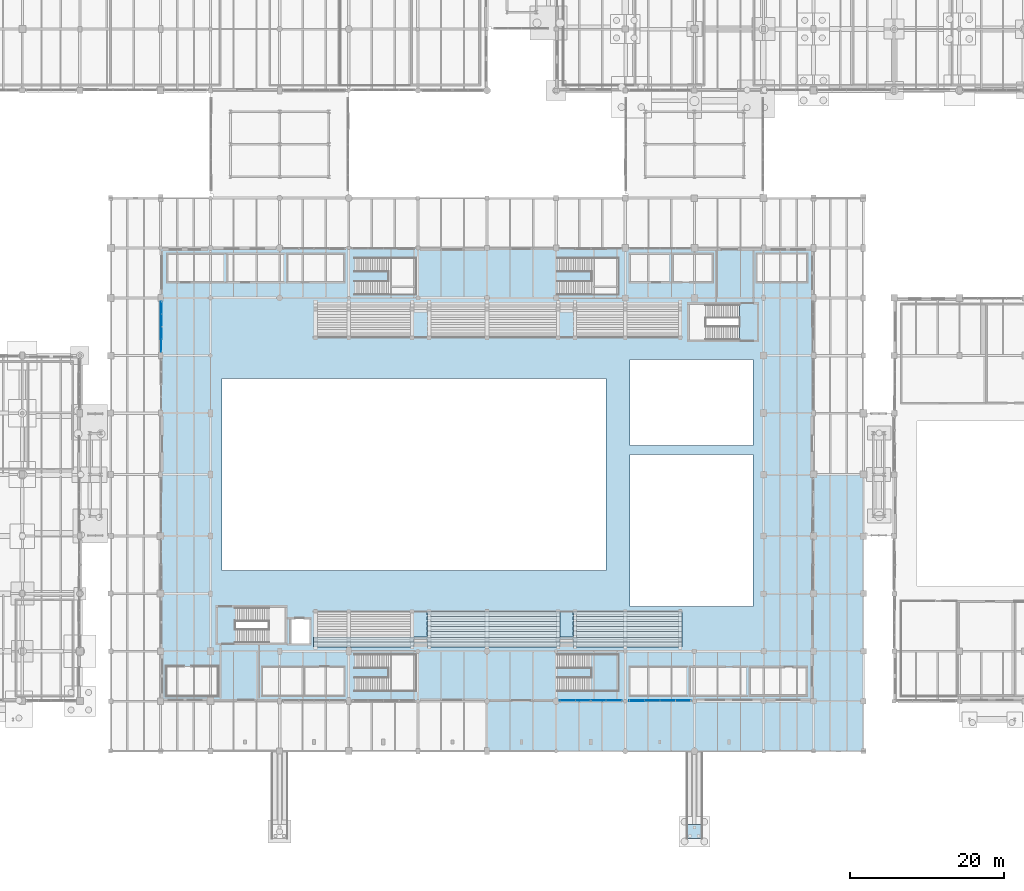
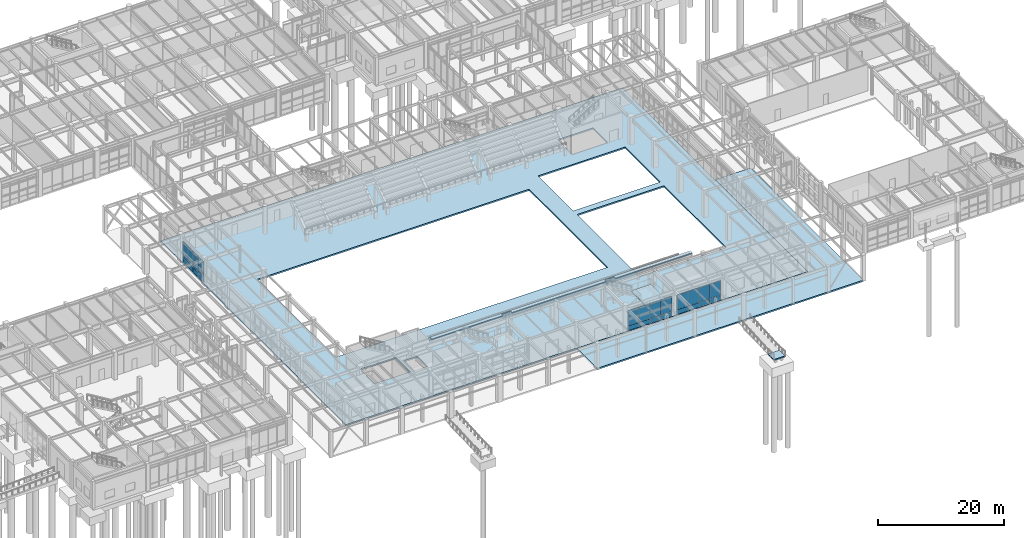
# One storey, part 153 of 203: 24 plates, 16 slabs, 5 elements without a shape of their own.
"""IFC4 building model written with IfcOpenShell, lengths in metres."""

from ifc_helpers import new_model, si_unit, direction, frame, origin, origin_2d, place, context, subcontext, project, spatial, polyline, rectangle, outline, extrude, material, layer, layer_set, type_object, element, aggregate, save


model = new_model("IFC4")

# Units and contexts
model_context = context("Model", 3, precision=1e-05, world=origin(), true_north=direction((0.0, 1.0)))
body_context = subcontext(model_context, "Body", "Model", "MODEL_VIEW")
ifc_project = project(units=[si_unit("LENGTHUNIT", "METRE"), si_unit("AREAUNIT", "SQUARE_METRE"), si_unit("VOLUMEUNIT", "CUBIC_METRE"), si_unit("PLANEANGLEUNIT", "RADIAN"), si_unit("MASSUNIT", "GRAM", prefix="KILO"), si_unit("THERMODYNAMICTEMPERATUREUNIT", "KELVIN"), si_unit("POWERUNIT", "WATT")], contexts=[model_context])

# Site, building, storey
site_placement = place(None, origin())
site = spatial("IfcSite", under=ifc_project, at=site_placement, CompositionType="ELEMENT")
building_placement = place(site_placement, origin())
building = spatial("IfcBuilding", under=site, at=building_placement, Name="Tepalcoro Natatorium and Aquatics Centre", CompositionType="ELEMENT")
storey_placement = place(building_placement, origin())
storey = spatial("IfcBuildingStorey", under=building, at=storey_placement, Name="L00", CompositionType="ELEMENT", Elevation=0.0)

# Curtain wall, plate
ifc_material_1 = material(Name="Bronze-Anodised Extruded Aluminium Alloy EN AW-6063 T6", Category="aluminium")
curtain_wall_type_1 = type_object("IfcCurtainWallType", Name="CW_LEAN_T1_EW", PredefinedType="USERDEFINED", material=ifc_material_1)
curtain_wall_1_placement = place(storey_placement, origin())
curtain_wall_1 = element("IfcCurtainWall", 1, at=curtain_wall_1_placement, inside=storey, type_object=curtain_wall_type_1, Name="V1 L00 S Unitised Curtain Wall Bay 7", ObjectType="FACETED SOLAR GLAZING", PredefinedType="USERDEFINED")
ifc_material_2 = material(Name="Solar-Control Bronze Tempered Low-E Double Glazing", Category="glass")
ifc_layer_1 = layer(ifc_material_2, 0.048095703125)
ifc_layer_set_1 = layer_set([ifc_layer_1], Name="Solar-Control Bronze Tempered Low-E Double Glazing")
plate_type_1 = type_object("IfcPlateType", Name="PL_ACOUSTIC_IGU_48", PredefinedType="CURTAIN_PANEL", material=ifc_layer_set_1)
plate_1_placement = place(storey_placement, frame((103.5048828125, 6.590087890625, 0.9599609375), z_axis=(0.0, 0.0, 1.0), x_axis=(1.0, 0.0, 0.0)))
plate_1 = element("IfcPlate", 2, at=plate_1_placement, type_object=plate_type_1, Name="CW_LEAN_T1_EW Insulated Glazing Unit", PredefinedType="CURTAIN_PANEL", context=body_context, shape_type="SweptSolid", body=[
    extrude(rectangle(XDim=1.989990234375, YDim=0.048095703125, at=origin_2d()), origin(), (0.0, 0.0, 1.0), 2.93310546875),
])

curtain_wall_type_2 = type_object("IfcCurtainWallType", Name="CW_LEAN_T2_NS", PredefinedType="USERDEFINED", material=ifc_material_1)
curtain_wall_2_placement = place(storey_placement, origin())
curtain_wall_2 = element("IfcCurtainWall", 3, at=curtain_wall_2_placement, inside=storey, type_object=curtain_wall_type_2, Name="V1 L00 S Unitised Curtain Wall Bay 8", ObjectType="FACETED SOLAR GLAZING", PredefinedType="USERDEFINED")
plate_2_placement = place(storey_placement, frame((110.4951171875, 6.576171875, 0.9599609375), z_axis=(0.0, 0.0, 1.0), x_axis=(1.0, 0.0, 0.0)))
plate_2 = element("IfcPlate", 4, at=plate_2_placement, type_object=plate_type_1, Name="CW_LEAN_T2_NS Insulated Glazing Unit", PredefinedType="CURTAIN_PANEL", context=body_context, shape_type="SweptSolid", body=[
    extrude(rectangle(XDim=1.989990234375, YDim=0.048095703125, at=origin_2d()), origin(), (0.0, 0.0, 1.0), 2.84912109375),
])

curtain_wall_type_3 = type_object("IfcCurtainWallType", Name="CW_V2_DIVING", PredefinedType="USERDEFINED", material=ifc_material_1)
curtain_wall_3_placement = place(storey_placement, origin())
curtain_wall_3 = element("IfcCurtainWall", 5, at=curtain_wall_3_placement, inside=storey, type_object=curtain_wall_type_3, Name="V1 L00 W Unitised Curtain Wall Bay 7", ObjectType="FACETED SOLAR GLAZING", PredefinedType="USERDEFINED")
plate_3_placement = place(storey_placement, frame((46.590087890625, 56.0673828125, 0.9599609375), z_axis=(0.0, 0.0, 1.0), x_axis=(1.0, 0.0, 0.0)))
plate_3 = element("IfcPlate", 6, at=plate_3_placement, type_object=plate_type_1, Name="CW_V2_DIVING Insulated Glazing Unit", PredefinedType="CURTAIN_PANEL", context=body_context, shape_type="SweptSolid", body=[
    extrude(rectangle(XDim=0.048095703125, YDim=1.614990234375, at=origin_2d()), origin(), (0.0, 0.0, 1.0), 3.0830078125),
])

# Plate
ifc_layer_2 = layer(ifc_material_2, 0.028076171875)
ifc_layer_set_2 = layer_set([ifc_layer_2], Name="Solar-Control Bronze Tempered Low-E Double Glazing")
plate_type_2 = type_object("IfcPlateType", Name="PL_BRONZE_IGU_28", PredefinedType="CURTAIN_PANEL", material=ifc_layer_set_2)
plate_4_placement = place(storey_placement, frame((101.4951171875, 6.590087890625, 0.9599609375), z_axis=(0.0, 0.0, 1.0), x_axis=(1.0, 0.0, 0.0)))
plate_4 = element("IfcPlate", 7, at=plate_4_placement, type_object=plate_type_2, Name="CW_LEAN_T1_EW Insulated Glazing Unit", PredefinedType="CURTAIN_PANEL", context=body_context, shape_type="SweptSolid", body=[
    extrude(rectangle(XDim=1.989990234375, YDim=0.028076171875, at=origin_2d()), origin(), (0.0, 0.0, 1.0), 2.93310546875),
])

plate_5_placement = place(storey_placement, frame((108.485107421875, 6.576171875, 0.9599609375), z_axis=(0.0, 0.0, 1.0), x_axis=(1.0, 0.0, 0.0)))
plate_5 = element("IfcPlate", 8, at=plate_5_placement, type_object=plate_type_2, Name="CW_LEAN_T2_NS Insulated Glazing Unit", PredefinedType="CURTAIN_PANEL", context=body_context, shape_type="SweptSolid", body=[
    extrude(rectangle(XDim=1.989990234375, YDim=0.028076171875, at=origin_2d()), origin(), (0.0, 0.0, 1.0), 2.84912109375),
])

plate_6_placement = place(storey_placement, frame((114.514892578125, 6.576171875, 0.9599609375), z_axis=(0.0, 0.0, 1.0), x_axis=(1.0, 0.0, 0.0)))
plate_6 = element("IfcPlate", 9, at=plate_6_placement, type_object=plate_type_2, Name="CW_LEAN_T2_NS Insulated Glazing Unit", PredefinedType="CURTAIN_PANEL", context=body_context, shape_type="SweptSolid", body=[
    extrude(rectangle(XDim=1.989990234375, YDim=0.028076171875, at=origin_2d()), origin(), (0.0, 0.0, 1.0), 2.84912109375),
])

plate_7_placement = place(storey_placement, frame((46.590087890625, 54.4326171875, 0.9599609375), z_axis=(0.0, 0.0, 1.0), x_axis=(1.0, 0.0, 0.0)))
plate_7 = element("IfcPlate", 10, at=plate_7_placement, type_object=plate_type_2, Name="CW_V2_DIVING Insulated Glazing Unit", PredefinedType="CURTAIN_PANEL", context=body_context, shape_type="SweptSolid", body=[
    extrude(rectangle(XDim=0.028076171875, YDim=1.614990234375, at=origin_2d()), origin(), (0.0, 0.0, 1.0), 3.0830078125),
])

ifc_material_3 = material(Name="Jalisco Cantera Rosa Volcanic Tuff Ashlar Masonry", Category="masonry")
ifc_layer_3 = layer(ifc_material_3, 0.090087890625)
ifc_layer_set_3 = layer_set([ifc_layer_3], Name="Jalisco Cantera Rosa Volcanic Tuff Ashlar Masonry")
plate_type_3 = type_object("IfcPlateType", Name="PL_CANTERA_90", PredefinedType="SHEET", material=ifc_layer_set_3)
plate_8_placement = place(storey_placement, frame((99.485107421875, 6.590087890625, 0.044921875), z_axis=(0.0, 0.0, 1.0), x_axis=(1.0, 0.0, 0.0)))
plate_8 = element("IfcPlate", 11, at=plate_8_placement, type_object=plate_type_3, Name="CW_LEAN_T1_EW Spandrel & Screen Panel", PredefinedType="SHEET", context=body_context, shape_type="SweptSolid", body=[
    extrude(rectangle(XDim=1.989990234375, YDim=0.090087890625, at=origin_2d()), origin(), (0.0, 0.0, 1.0), 0.909912109375),
])

plate_9_placement = place(storey_placement, frame((46.590087890625, 54.4326171875, 0.044921875), z_axis=(0.0, 0.0, 1.0), x_axis=(1.0, 0.0, 0.0)))
plate_9 = element("IfcPlate", 12, at=plate_9_placement, type_object=plate_type_3, Name="CW_V2_DIVING Spandrel & Screen Panel", PredefinedType="SHEET", context=body_context, shape_type="SweptSolid", body=[
    extrude(rectangle(XDim=0.090087890625, YDim=1.614990234375, at=origin_2d()), origin(), (0.0, 0.0, 1.0), 0.909912109375),
])

ifc_material_4 = material(Name="Clear Tempered Low-E Safety Glazing", Category="glass")
ifc_layer_4 = layer(ifc_material_4, 0.011962890625)
ifc_layer_set_4 = layer_set([ifc_layer_4], Name="Clear Tempered Low-E Safety Glazing")
plate_type_4 = type_object("IfcPlateType", Name="PL_GLASS_12", PredefinedType="CURTAIN_PANEL", material=ifc_layer_set_4)
plate_10_placement = place(storey_placement, frame((99.485107421875, 6.590087890625, 0.9599609375), z_axis=(0.0, 0.0, 1.0), x_axis=(1.0, 0.0, 0.0)))
plate_10 = element("IfcPlate", 13, at=plate_10_placement, type_object=plate_type_4, Name="CW_LEAN_T1_EW Insulated Glazing Unit", PredefinedType="CURTAIN_PANEL", context=body_context, shape_type="SweptSolid", body=[
    extrude(rectangle(XDim=1.989990234375, YDim=0.011962890625, at=origin_2d()), origin(), (0.0, 0.0, 1.0), 2.93310546875),
])

plate_11_placement = place(storey_placement, frame((105.514892578125, 6.590087890625, 0.9599609375), z_axis=(0.0, 0.0, 1.0), x_axis=(1.0, 0.0, 0.0)))
plate_11 = element("IfcPlate", 14, at=plate_11_placement, type_object=plate_type_4, Name="CW_LEAN_T1_EW Insulated Glazing Unit", PredefinedType="CURTAIN_PANEL", context=body_context, shape_type="SweptSolid", body=[
    extrude(rectangle(XDim=1.989990234375, YDim=0.011962890625, at=origin_2d()), origin(), (0.0, 0.0, 1.0), 2.93310546875),
])

plate_12_placement = place(storey_placement, frame((112.5048828125, 6.576171875, 0.9599609375), z_axis=(0.0, 0.0, 1.0), x_axis=(1.0, 0.0, 0.0)))
plate_12 = element("IfcPlate", 15, at=plate_12_placement, type_object=plate_type_4, Name="CW_LEAN_T2_NS Insulated Glazing Unit", PredefinedType="CURTAIN_PANEL", context=body_context, shape_type="SweptSolid", body=[
    extrude(rectangle(XDim=1.989990234375, YDim=0.011962890625, at=origin_2d()), origin(), (0.0, 0.0, 1.0), 2.84912109375),
])

plate_13_placement = place(storey_placement, frame((46.590087890625, 52.797607421875, 0.9599609375), z_axis=(0.0, 0.0, 1.0), x_axis=(1.0, 0.0, 0.0)))
plate_13 = element("IfcPlate", 16, at=plate_13_placement, type_object=plate_type_4, Name="CW_V2_DIVING Insulated Glazing Unit", PredefinedType="CURTAIN_PANEL", context=body_context, shape_type="SweptSolid", body=[
    extrude(rectangle(XDim=0.011962890625, YDim=1.614990234375, at=origin_2d()), origin(), (0.0, 0.0, 1.0), 3.0830078125),
])

plate_14_placement = place(storey_placement, frame((46.590087890625, 57.702392578125, 0.9599609375), z_axis=(0.0, 0.0, 1.0), x_axis=(1.0, 0.0, 0.0)))
plate_14 = element("IfcPlate", 17, at=plate_14_placement, type_object=plate_type_4, Name="CW_V2_DIVING Insulated Glazing Unit", PredefinedType="CURTAIN_PANEL", context=body_context, shape_type="SweptSolid", body=[
    extrude(rectangle(XDim=0.011962890625, YDim=1.614990234375, at=origin_2d()), origin(), (0.0, 0.0, 1.0), 3.0830078125),
])

ifc_material_5 = material(Name="Volcanic Recinto Basalt Ashlar Masonry", Category="masonry")
ifc_layer_5 = layer(ifc_material_5, 0.110107421875)
ifc_layer_set_5 = layer_set([ifc_layer_5], Name="Volcanic Recinto Basalt Ashlar Masonry")
plate_type_5 = type_object("IfcPlateType", Name="PL_RECINTO_110", PredefinedType="SHEET", material=ifc_layer_set_5)
plate_15_placement = place(storey_placement, frame((101.4951171875, 6.590087890625, 0.044921875), z_axis=(0.0, 0.0, 1.0), x_axis=(1.0, 0.0, 0.0)))
plate_15 = element("IfcPlate", 18, at=plate_15_placement, type_object=plate_type_5, Name="CW_LEAN_T1_EW Spandrel & Screen Panel", PredefinedType="SHEET", context=body_context, shape_type="SweptSolid", body=[
    extrude(rectangle(XDim=1.989990234375, YDim=0.110107421875, at=origin_2d()), origin(), (0.0, 0.0, 1.0), 0.909912109375),
])

plate_16_placement = place(storey_placement, frame((108.485107421875, 6.576171875, 0.044921875), z_axis=(0.0, 0.0, 1.0), x_axis=(1.0, 0.0, 0.0)))
plate_16 = element("IfcPlate", 19, at=plate_16_placement, type_object=plate_type_5, Name="CW_LEAN_T2_NS Spandrel & Screen Panel", PredefinedType="SHEET", context=body_context, shape_type="SweptSolid", body=[
    extrude(rectangle(XDim=1.989990234375, YDim=0.110107421875, at=origin_2d()), origin(), (0.0, 0.0, 1.0), 0.909912109375),
])

plate_17_placement = place(storey_placement, frame((46.590087890625, 56.0673828125, 0.044921875), z_axis=(0.0, 0.0, 1.0), x_axis=(1.0, 0.0, 0.0)))
plate_17 = element("IfcPlate", 20, at=plate_17_placement, type_object=plate_type_5, Name="CW_V2_DIVING Spandrel & Screen Panel", PredefinedType="SHEET", context=body_context, shape_type="SweptSolid", body=[
    extrude(rectangle(XDim=0.110107421875, YDim=1.614990234375, at=origin_2d()), origin(), (0.0, 0.0, 1.0), 0.909912109375),
])

ifc_layer_6 = layer(ifc_material_1, 0.050048828125)
ifc_layer_set_6 = layer_set([ifc_layer_6], Name="Bronze-Anodised Extruded Aluminium Alloy EN AW-6063 T6")
plate_type_6 = type_object("IfcPlateType", Name="PL_SCREEN_50", PredefinedType="SHEET", material=ifc_layer_set_6)
plate_18_placement = place(storey_placement, frame((105.514892578125, 6.590087890625, 0.044921875), z_axis=(0.0, 0.0, 1.0), x_axis=(1.0, 0.0, 0.0)))
plate_18 = element("IfcPlate", 21, at=plate_18_placement, type_object=plate_type_6, Name="CW_LEAN_T1_EW Spandrel & Screen Panel", PredefinedType="SHEET", context=body_context, shape_type="SweptSolid", body=[
    extrude(rectangle(XDim=1.989990234375, YDim=0.050048828125, at=origin_2d()), origin(), (0.0, 0.0, 1.0), 0.909912109375),
])

plate_19_placement = place(storey_placement, frame((112.5048828125, 6.576171875, 0.044921875), z_axis=(0.0, 0.0, 1.0), x_axis=(1.0, 0.0, 0.0)))
plate_19 = element("IfcPlate", 22, at=plate_19_placement, type_object=plate_type_6, Name="CW_LEAN_T2_NS Spandrel & Screen Panel", PredefinedType="SHEET", context=body_context, shape_type="SweptSolid", body=[
    extrude(rectangle(XDim=1.989990234375, YDim=0.050048828125, at=origin_2d()), origin(), (0.0, 0.0, 1.0), 0.909912109375),
])

ifc_layer_7 = layer(ifc_material_1, 0.06005859375)
ifc_layer_set_7 = layer_set([ifc_layer_7], Name="Bronze-Anodised Extruded Aluminium Alloy EN AW-6063 T6")
plate_type_7 = type_object("IfcPlateType", Name="PL_SCREEN_60", PredefinedType="SHEET", material=ifc_layer_set_7)
plate_20_placement = place(storey_placement, frame((114.514892578125, 6.576171875, 0.044921875), z_axis=(0.0, 0.0, 1.0), x_axis=(1.0, 0.0, 0.0)))
plate_20 = element("IfcPlate", 23, at=plate_20_placement, type_object=plate_type_7, Name="CW_LEAN_T2_NS Spandrel & Screen Panel", PredefinedType="SHEET", context=body_context, shape_type="SweptSolid", body=[
    extrude(rectangle(XDim=1.989990234375, YDim=0.06005859375, at=origin_2d()), origin(), (0.0, 0.0, 1.0), 0.909912109375),
])

plate_21_placement = place(storey_placement, frame((46.590087890625, 52.797607421875, 0.044921875), z_axis=(0.0, 0.0, 1.0), x_axis=(1.0, 0.0, 0.0)))
plate_21 = element("IfcPlate", 24, at=plate_21_placement, type_object=plate_type_7, Name="CW_V2_DIVING Spandrel & Screen Panel", PredefinedType="SHEET", context=body_context, shape_type="SweptSolid", body=[
    extrude(rectangle(XDim=0.06005859375, YDim=1.614990234375, at=origin_2d()), origin(), (0.0, 0.0, 1.0), 0.909912109375),
])

ifc_material_6 = material(Name="Insulated Bronze Anodised Aluminium Spandrel Panel", Category="aluminium")
ifc_layer_8 = layer(ifc_material_6, 0.070068359375)
ifc_layer_set_8 = layer_set([ifc_layer_8], Name="Insulated Bronze Anodised Aluminium Spandrel Panel")
plate_type_8 = type_object("IfcPlateType", Name="PL_SPANDREL_70", PredefinedType="CURTAIN_PANEL", material=ifc_layer_set_8)
plate_22_placement = place(storey_placement, frame((103.5048828125, 6.590087890625, 0.044921875), z_axis=(0.0, 0.0, 1.0), x_axis=(1.0, 0.0, 0.0)))
plate_22 = element("IfcPlate", 25, at=plate_22_placement, type_object=plate_type_8, Name="CW_LEAN_T1_EW Spandrel & Screen Panel", PredefinedType="CURTAIN_PANEL", context=body_context, shape_type="SweptSolid", body=[
    extrude(rectangle(XDim=1.989990234375, YDim=0.070068359375, at=origin_2d()), origin(), (0.0, 0.0, 1.0), 0.909912109375),
])

aggregate(curtain_wall_1, [plate_10, plate_8, plate_4, plate_15, plate_1, plate_22, plate_11, plate_18])

plate_23_placement = place(storey_placement, frame((110.4951171875, 6.576171875, 0.044921875), z_axis=(0.0, 0.0, 1.0), x_axis=(1.0, 0.0, 0.0)))
plate_23 = element("IfcPlate", 26, at=plate_23_placement, type_object=plate_type_8, Name="CW_LEAN_T2_NS Spandrel & Screen Panel", PredefinedType="CURTAIN_PANEL", context=body_context, shape_type="SweptSolid", body=[
    extrude(rectangle(XDim=1.989990234375, YDim=0.070068359375, at=origin_2d()), origin(), (0.0, 0.0, 1.0), 0.909912109375),
])

aggregate(curtain_wall_2, [plate_5, plate_16, plate_2, plate_23, plate_12, plate_19, plate_6, plate_20])

plate_24_placement = place(storey_placement, frame((46.590087890625, 57.702392578125, 0.044921875), z_axis=(0.0, 0.0, 1.0), x_axis=(1.0, 0.0, 0.0)))
plate_24 = element("IfcPlate", 27, at=plate_24_placement, type_object=plate_type_8, Name="CW_V2_DIVING Spandrel & Screen Panel", PredefinedType="CURTAIN_PANEL", context=body_context, shape_type="SweptSolid", body=[
    extrude(rectangle(XDim=0.070068359375, YDim=1.614990234375, at=origin_2d()), origin(), (0.0, 0.0, 1.0), 0.909912109375),
])

aggregate(curtain_wall_3, [plate_13, plate_21, plate_7, plate_9, plate_3, plate_17, plate_14, plate_24])

# Slabs
ifc_material_7 = material(Name="Concrete C35/45 (fc 35 MPa)", Category="concrete")
ifc_layer_9 = layer(ifc_material_7, 0.280029296875)
ifc_layer_set_9 = layer_set([ifc_layer_9], Name="Concrete C35/45 (fc 35 MPa)")
slab_type_1 = type_object("IfcSlabType", Name="SL_FLOOR_280", PredefinedType="FLOOR", material=ifc_layer_set_9)
slab_1_placement = place(storey_placement, frame((0.0, 0.0, -0.280029296875)))
element("IfcSlab", 28, at=slab_1_placement, inside=storey, type_object=slab_type_1, Name="V1 Covered Plinth Colonnade Apron SE", PredefinedType="FLOOR", context=body_context, shape_type="SweptSolid", body=[
    extrude(outline(polyline([(138.0, 0.0), (89.0, 0.0), (89.0, 6.5), (131.5, 6.5), (131.5, 36.0), (138.0, 36.0), (138.0, 0.0)])), origin(), (0.0, 0.0, 1.0), 0.280029296875),
])
slab_2_placement = place(storey_placement, frame((0.0, 0.0, -0.280029296875)))
element("IfcSlab", 29, at=slab_2_placement, inside=storey, type_object=slab_type_1, Name="V1 L00 Natatorium and Civic Floor Slab MAIN", PredefinedType="FLOOR", context=body_context, shape_type="SweptSolid", body=[
    extrude(outline(polyline([(46.5, 65.5), (131.5, 65.5), (131.5, 6.5), (46.5, 6.5), (46.5, 65.5)]), holes=[polyline([(104.5, 48.5), (54.5, 48.5), (54.5, 23.5), (104.5, 23.5), (104.5, 48.5)]), polyline([(123.60009765625, 18.800048828125), (123.60009765625, 38.60009765625), (107.60009765625, 38.60009765625), (107.60009765625, 18.800048828125), (123.60009765625, 18.800048828125)]), polyline([(107.60009765625, 39.800048828125), (123.60009765625, 39.800048828125), (123.60009765625, 51.0), (107.60009765625, 51.0), (107.60009765625, 39.800048828125)]), polyline([(56.22998046875, 18.699951171875), (56.22998046875, 14.10009765625), (62.699951171875, 14.10009765625), (62.699951171875, 18.699951171875), (56.22998046875, 18.699951171875)]), polyline([(121.840087890625, 58.169921875), (115.330078125, 58.169921875), (115.330078125, 53.530029296875), (121.840087890625, 53.530029296875), (121.840087890625, 58.169921875)]), polyline([(65.89990234375, 14.0), (65.89990234375, 17.199951171875), (63.5, 17.199951171875), (63.5, 14.0), (65.89990234375, 14.0)])]), origin(), (0.0, 0.0, 1.0), 0.280029296875),
])

# Stair, slab
stair_type = type_object("IfcStairType", Name="ST_ST_1800_VOM2", PredefinedType="STRAIGHT_RUN_STAIR", material=ifc_material_7)
stair_placement = place(storey_placement, origin())
stair = element("IfcStair", 30, at=stair_placement, inside=storey, type_object=stair_type, Name="Spectator Concourse Vomitory Stair SE", PredefinedType="STRAIGHT_RUN_STAIR")
ifc_layer_10 = layer(ifc_material_7, 0.199951171875)
ifc_layer_set_10 = layer_set([ifc_layer_10], Name="Concrete C35/45 (fc 35 MPa)")
slab_type_2 = type_object("IfcSlabType", Name="SL_LANDING_200", PredefinedType="LANDING", material=ifc_layer_set_10)
slab_3_placement = place(storey_placement, frame((0.0, 0.0, 2.5)))
slab_3 = element("IfcSlab", 31, at=slab_3_placement, type_object=slab_type_2, Name="Spectator Concourse Vomitory Stair SE Half-Landing", PredefinedType="LANDING", context=body_context, shape_type="SweptSolid", body=[
    extrude(outline(polyline([(102.544921875, 7.77001953125), (106.179931640625, 7.77001953125), (106.179931640625, 12.6298828125), (102.544921875, 12.6298828125), (102.544921875, 7.77001953125)])), origin(), (0.0, 0.0, 1.0), 0.199951171875),
])
aggregate(stair, [slab_3])

# Ramp, slab
ramp_type = type_object("IfcRampType", Name="RP_PED_2100", PredefinedType="STRAIGHT_RUN_RAMP", material=ifc_material_7)
ramp_placement = place(storey_placement, origin())
ramp = element("IfcRamp", 32, at=ramp_placement, inside=storey, type_object=ramp_type, Name="V1 South Colonnade Accessible Ramp East", PredefinedType="STRAIGHT_RUN_RAMP")
slab_4_placement = place(storey_placement, frame((0.0, 0.0, -0.699951171875)))
slab_4 = element("IfcSlab", 33, at=slab_4_placement, type_object=slab_type_2, Name="V1 South Colonnade Accessible Ramp East Bottom Level Landing", PredefinedType="LANDING", context=body_context, shape_type="SweptSolid", body=[
    extrude(outline(polyline([(117.050048828125, -11.39990234375), (117.050048828125, -9.5400390625), (114.949951171875, -9.5400390625), (114.949951171875, -11.39990234375), (117.050048828125, -11.39990234375)])), origin(), (0.0, 0.0, 1.0), 0.219970703125),
])
aggregate(ramp, [slab_4])

# Slabs
ifc_material_8 = material(Name="Concrete C40/50 (fc 40 MPa)", Category="concrete")
ifc_layer_11 = layer(ifc_material_8, 0.179931640625)
ifc_layer_set_11 = layer_set([ifc_layer_11], Name="Concrete C40/50 (fc 40 MPa)")
slab_type_3 = type_object("IfcSlabType", Name="SL_TIER_180", PredefinedType="USERDEFINED", material=ifc_layer_set_11)
slab_5_placement = place(storey_placement, frame((0.0, 0.0, 1.6201171875)))
element("IfcSlab", 34, at=slab_5_placement, inside=storey, type_object=slab_type_3, Name="Spectator Bowl S Precast Seating Tier 1-C", ObjectType="SEATING TIER", PredefinedType="USERDEFINED", context=body_context, shape_type="SweptSolid", body=[
    extrude(outline(polyline([(81.199951171875, 18.199951171875), (98.5, 18.199951171875), (98.5, 17.455810546875), (81.64990234375, 17.455810546875), (81.64990234375, 17.705810546875), (81.199951171875, 17.705810546875), (81.199951171875, 18.199951171875)])), origin(), (0.0, 0.0, 1.0), 0.179931640625),
])
slab_6_placement = place(storey_placement, frame((0.0, 0.0, 1.6201171875)))
element("IfcSlab", 35, at=slab_6_placement, inside=storey, type_object=slab_type_3, Name="Spectator Bowl S Precast Seating Tier 1-E", ObjectType="SEATING TIER", PredefinedType="USERDEFINED", context=body_context, shape_type="SweptSolid", body=[
    extrude(outline(polyline([(100.199951171875, 18.199951171875), (114.39990234375, 18.199951171875), (114.39990234375, 17.455810546875), (100.64990234375, 17.455810546875), (100.64990234375, 17.705810546875), (100.199951171875, 17.705810546875), (100.199951171875, 18.199951171875)])), origin(), (0.0, 0.0, 1.0), 0.179931640625),
])
slab_7_placement = place(storey_placement, frame((0.0, 0.0, 2.219970703125)))
element("IfcSlab", 36, at=slab_7_placement, inside=storey, type_object=slab_type_3, Name="Spectator Bowl S Precast Seating Tier 2-C", ObjectType="SEATING TIER", PredefinedType="USERDEFINED", context=body_context, shape_type="SweptSolid", body=[
    extrude(outline(polyline([(81.199951171875, 17.53564453125), (98.5, 17.53564453125), (98.5, 16.79150390625), (81.64990234375, 16.79150390625), (81.64990234375, 17.04150390625), (81.199951171875, 17.04150390625), (81.199951171875, 17.53564453125)])), origin(), (0.0, 0.0, 1.0), 0.179931640625),
])
slab_8_placement = place(storey_placement, frame((0.0, 0.0, 2.219970703125)))
element("IfcSlab", 37, at=slab_8_placement, inside=storey, type_object=slab_type_3, Name="Spectator Bowl S Precast Seating Tier 2-E", ObjectType="SEATING TIER", PredefinedType="USERDEFINED", context=body_context, shape_type="SweptSolid", body=[
    extrude(outline(polyline([(100.199951171875, 17.53564453125), (114.39990234375, 17.53564453125), (114.39990234375, 16.79150390625), (100.64990234375, 16.79150390625), (100.64990234375, 17.04150390625), (100.199951171875, 17.04150390625), (100.199951171875, 17.53564453125)])), origin(), (0.0, 0.0, 1.0), 0.179931640625),
])
slab_9_placement = place(storey_placement, frame((0.0, 0.0, 2.820068359375)))
element("IfcSlab", 38, at=slab_9_placement, inside=storey, type_object=slab_type_3, Name="Spectator Bowl S Precast Seating Tier 3-C", ObjectType="SEATING TIER", PredefinedType="USERDEFINED", context=body_context, shape_type="SweptSolid", body=[
    extrude(outline(polyline([(81.199951171875, 16.871337890625), (98.5, 16.871337890625), (98.5, 16.127197265625), (81.64990234375, 16.127197265625), (81.64990234375, 16.377197265625), (81.199951171875, 16.377197265625), (81.199951171875, 16.871337890625)])), origin(), (0.0, 0.0, 1.0), 0.179931640625),
])
slab_10_placement = place(storey_placement, frame((0.0, 0.0, 2.820068359375)))
element("IfcSlab", 39, at=slab_10_placement, inside=storey, type_object=slab_type_3, Name="Spectator Bowl S Precast Seating Tier 3-E", ObjectType="SEATING TIER", PredefinedType="USERDEFINED", context=body_context, shape_type="SweptSolid", body=[
    extrude(outline(polyline([(100.199951171875, 16.871337890625), (114.39990234375, 16.871337890625), (114.39990234375, 16.127197265625), (100.64990234375, 16.127197265625), (100.64990234375, 16.377197265625), (100.199951171875, 16.377197265625), (100.199951171875, 16.871337890625)])), origin(), (0.0, 0.0, 1.0), 0.179931640625),
])
slab_11_placement = place(storey_placement, frame((0.0, 0.0, 3.419921875)))
element("IfcSlab", 40, at=slab_11_placement, inside=storey, type_object=slab_type_3, Name="Spectator Bowl S Precast Seating Tier 4-C", ObjectType="SEATING TIER", PredefinedType="USERDEFINED", context=body_context, shape_type="SweptSolid", body=[
    extrude(outline(polyline([(81.199951171875, 16.20703125), (98.5, 16.20703125), (98.5, 15.462890625), (81.64990234375, 15.462890625), (81.64990234375, 15.712890625), (81.199951171875, 15.712890625), (81.199951171875, 16.20703125)])), origin(), (0.0, 0.0, 1.0), 0.18017578125),
])
slab_12_placement = place(storey_placement, frame((0.0, 0.0, 3.419921875)))
element("IfcSlab", 41, at=slab_12_placement, inside=storey, type_object=slab_type_3, Name="Spectator Bowl S Precast Seating Tier 4-E", ObjectType="SEATING TIER", PredefinedType="USERDEFINED", context=body_context, shape_type="SweptSolid", body=[
    extrude(outline(polyline([(100.199951171875, 16.20703125), (114.39990234375, 16.20703125), (114.39990234375, 15.462890625), (100.64990234375, 15.462890625), (100.64990234375, 15.712890625), (100.199951171875, 15.712890625), (100.199951171875, 16.20703125)])), origin(), (0.0, 0.0, 1.0), 0.18017578125),
])
slab_13_placement = place(storey_placement, frame((0.0, 0.0, 4.02001953125)))
element("IfcSlab", 42, at=slab_13_placement, inside=storey, type_object=slab_type_3, Name="Spectator Bowl S Precast Seating Tier 5-C", ObjectType="SEATING TIER", PredefinedType="USERDEFINED", context=body_context, shape_type="SweptSolid", body=[
    extrude(outline(polyline([(81.199951171875, 15.54296875), (98.5, 15.54296875), (98.5, 14.798583984375), (81.64990234375, 14.798583984375), (81.64990234375, 15.048583984375), (81.199951171875, 15.048583984375), (81.199951171875, 15.54296875)])), origin(), (0.0, 0.0, 1.0), 0.179931640625),
])
slab_14_placement = place(storey_placement, frame((0.0, 0.0, 4.02001953125)))
element("IfcSlab", 43, at=slab_14_placement, inside=storey, type_object=slab_type_3, Name="Spectator Bowl S Precast Seating Tier 5-E", ObjectType="SEATING TIER", PredefinedType="USERDEFINED", context=body_context, shape_type="SweptSolid", body=[
    extrude(outline(polyline([(100.199951171875, 15.54296875), (114.39990234375, 15.54296875), (114.39990234375, 14.798583984375), (100.64990234375, 14.798583984375), (100.64990234375, 15.048583984375), (100.199951171875, 15.048583984375), (100.199951171875, 15.54296875)])), origin(), (0.0, 0.0, 1.0), 0.179931640625),
])
slab_15_placement = place(storey_placement, frame((0.0, 0.0, 4.6201171875)))
element("IfcSlab", 44, at=slab_15_placement, inside=storey, type_object=slab_type_3, Name="Spectator Bowl S Precast Seating Tier 6", ObjectType="SEATING TIER", PredefinedType="USERDEFINED", context=body_context, shape_type="SweptSolid", body=[
    extrude(outline(polyline([(66.39990234375, 14.13427734375), (66.39990234375, 14.878662109375), (114.39990234375, 14.878662109375), (114.39990234375, 14.13427734375), (100.199951171875, 14.13427734375), (100.199951171875, 14.584228515625), (98.5, 14.584228515625), (98.5, 14.13427734375), (81.199951171875, 14.13427734375), (81.199951171875, 14.584228515625), (79.5, 14.584228515625), (79.5, 14.13427734375), (66.39990234375, 14.13427734375)])), origin(), (0.0, 0.0, 1.0), 0.179931640625),
])
slab_16_placement = place(storey_placement, frame((0.0, 0.0, 5.219970703125)))
element("IfcSlab", 45, at=slab_16_placement, inside=storey, type_object=slab_type_3, Name="Spectator Bowl S Precast Seating Tier 7", ObjectType="SEATING TIER", PredefinedType="USERDEFINED", context=body_context, shape_type="SweptSolid", body=[
    extrude(outline(polyline([(66.39990234375, 13.530029296875), (66.39990234375, 14.21435546875), (114.39990234375, 14.21435546875), (114.39990234375, 13.530029296875), (100.199951171875, 13.530029296875), (100.199951171875, 13.97998046875), (98.5, 13.97998046875), (98.5, 13.530029296875), (81.199951171875, 13.530029296875), (81.199951171875, 13.97998046875), (79.5, 13.97998046875), (79.5, 13.530029296875), (66.39990234375, 13.530029296875)])), origin(), (0.0, 0.0, 1.0), 0.179931640625),
])

save(model, "model.ifc")
